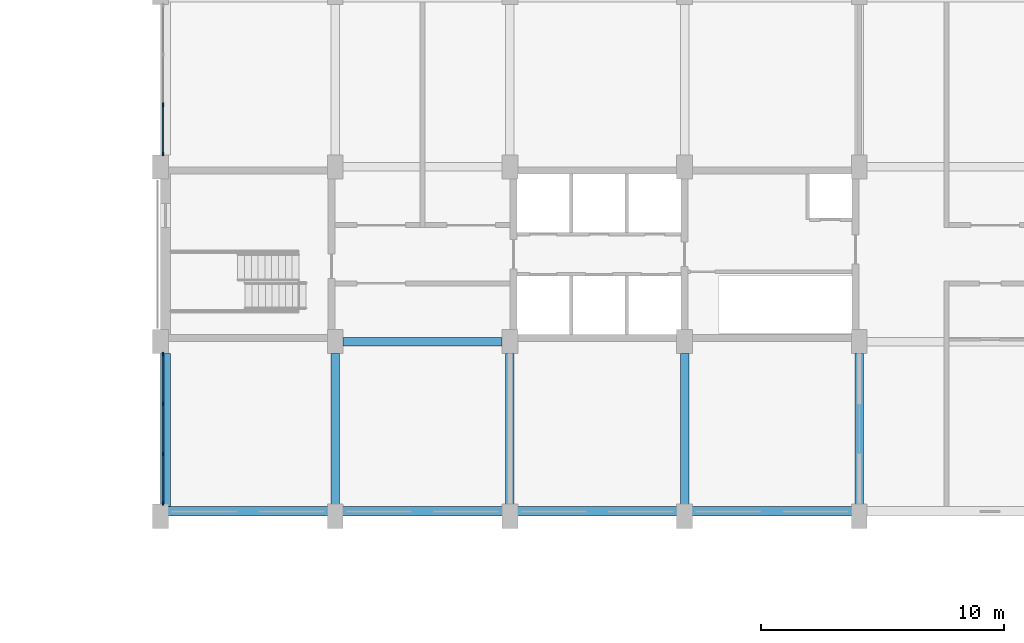
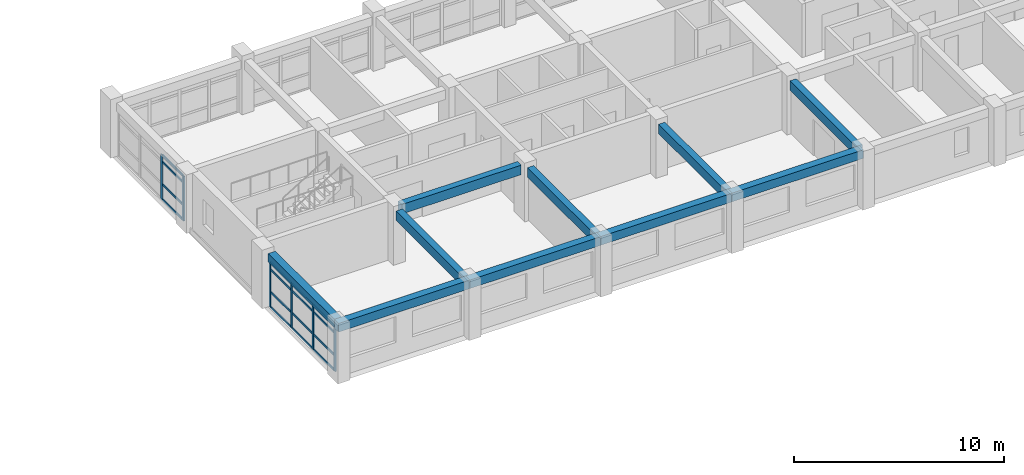
# One storey, part 5 of 19: 22 members, 10 beams, 2 elements without a shape of their own.
"""IFC4 building model written with IfcOpenShell, lengths in metres."""

from ifc_helpers import new_model, si_unit, direction, frame, origin, origin_2d, place, context, subcontext, project, spatial, rectangle, extrude, material, material_profile, profile_set, type_object, element, aggregate, save


model = new_model("IFC4")

# Units and contexts
model_context = context("Model", 3, precision=1e-05, world=origin(), true_north=direction((0.0, 1.0)))
body_context = subcontext(model_context, "Body", "Model", "MODEL_VIEW")
ifc_project = project(units=[si_unit("LENGTHUNIT", "METRE"), si_unit("AREAUNIT", "SQUARE_METRE"), si_unit("VOLUMEUNIT", "CUBIC_METRE"), si_unit("PLANEANGLEUNIT", "RADIAN"), si_unit("MASSUNIT", "GRAM", prefix="KILO")], contexts=[model_context])

# Site, building, storey
site_placement = place(None, origin())
site = spatial("IfcSite", under=ifc_project, at=site_placement, CompositionType="ELEMENT")
building_placement = place(site_placement, origin())
building = spatial("IfcBuilding", under=site, at=building_placement, Name="Vermilion Court Aquatics Centre", CompositionType="ELEMENT")
storey_placement = place(building_placement, frame((0.0, 0.0, 19.89990234375)))
storey = spatial("IfcBuildingStorey", under=building, at=storey_placement, Name="L04", CompositionType="ELEMENT", Elevation=19.89990234375)

# Curtain wall, members
ifc_material_1 = material(Name="Aluminium 6063-T5", Category="aluminium")
curtain_wall_type = type_object("IfcCurtainWallType", Name="North block glazed bay curtain wall 1800 module", PredefinedType="NOTDEFINED", material=ifc_material_1)
curtain_wall_1_placement = place(storey_placement, origin())
curtain_wall_1 = element("IfcCurtainWall", 1, at=curtain_wall_1_placement, inside=storey, type_object=curtain_wall_type, Name="West glazed bay 1 L04", PredefinedType="NOTDEFINED")
ifc_material_2 = material(Name="Aluminium 6063-T5", Category="aluminium")
ifc_material_profile_1 = material_profile(ifc_material_2, rectangle(XDim=0.06005859375, YDim=0.159912109375, at=origin_2d()), Name="AL 60x160")
ifc_profile_set_1 = profile_set([ifc_material_profile_1], Name="Aluminium 6063-T5")
member_type_1 = type_object("IfcMemberType", Name="North block curtain wall mullion 60x160", PredefinedType="MULLION", material=ifc_profile_set_1)
member_1_placement = place(storey_placement, frame((144.10009765625, 94.1298828125, 0.0), z_axis=(0.0, 0.0, 1.0), x_axis=(-1.0, 0.0, 0.0)))
member_1 = element("IfcMember", 2, at=member_1_placement, type_object=member_type_1, Name="UCW1 mullion 1", PredefinedType="MULLION", context=body_context, shape_type="SweptSolid", body=[
    extrude(rectangle(XDim=0.06005859375, YDim=0.159912109375, at=origin_2d()), origin(), (0.0, 0.0, 1.0), 2.60009765625),
])
member_2_placement = place(storey_placement, frame((144.10009765625, 96.166748046875, 0.0), z_axis=(0.0, 0.0, 1.0), x_axis=(-1.0, 0.0, 0.0)))
member_2 = element("IfcMember", 3, at=member_2_placement, type_object=member_type_1, Name="UCW1 mullion 2", PredefinedType="MULLION", context=body_context, shape_type="SweptSolid", body=[
    extrude(rectangle(XDim=0.06005859375, YDim=0.159912109375, at=origin_2d()), origin(), (0.0, 0.0, 1.0), 2.60009765625),
])
member_3_placement = place(storey_placement, frame((144.10009765625, 98.2333984375, 0.0), z_axis=(0.0, 0.0, 1.0), x_axis=(-1.0, 0.0, 0.0)))
member_3 = element("IfcMember", 4, at=member_3_placement, type_object=member_type_1, Name="UCW1 mullion 3", PredefinedType="MULLION", context=body_context, shape_type="SweptSolid", body=[
    extrude(rectangle(XDim=0.06005859375, YDim=0.159912109375, at=origin_2d()), origin(), (0.0, 0.0, 1.0), 2.60009765625),
])
member_4_placement = place(storey_placement, frame((144.10009765625, 100.27001953125, 0.0), z_axis=(0.0, 0.0, 1.0), x_axis=(-1.0, 0.0, 0.0)))
member_4 = element("IfcMember", 5, at=member_4_placement, type_object=member_type_1, Name="UCW1 mullion 4", PredefinedType="MULLION", context=body_context, shape_type="SweptSolid", body=[
    extrude(rectangle(XDim=0.06005859375, YDim=0.159912109375, at=origin_2d()), origin(), (0.0, 0.0, 1.0), 2.60009765625),
])

curtain_wall_2_placement = place(storey_placement, origin())
curtain_wall_2 = element("IfcCurtainWall", 6, at=curtain_wall_2_placement, inside=storey, type_object=curtain_wall_type, Name="West glazed bay 2 L04", PredefinedType="NOTDEFINED")
member_5_placement = place(storey_placement, frame((144.10009765625, 108.530029296875, 0.0), z_axis=(0.0, 0.0, 1.0), x_axis=(-1.0, 0.0, 0.0)))
member_5 = element("IfcMember", 7, at=member_5_placement, type_object=member_type_1, Name="UCW1 mullion 1", PredefinedType="MULLION", context=body_context, shape_type="SweptSolid", body=[
    extrude(rectangle(XDim=0.06005859375, YDim=0.159912109375, at=origin_2d()), origin(), (0.0, 0.0, 1.0), 2.60009765625),
])
member_6_placement = place(storey_placement, frame((144.10009765625, 110.566650390625, 0.0), z_axis=(0.0, 0.0, 1.0), x_axis=(-1.0, 0.0, 0.0)))
member_6 = element("IfcMember", 8, at=member_6_placement, type_object=member_type_1, Name="UCW1 mullion 2", PredefinedType="MULLION", context=body_context, shape_type="SweptSolid", body=[
    extrude(rectangle(XDim=0.06005859375, YDim=0.159912109375, at=origin_2d()), origin(), (0.0, 0.0, 1.0), 2.60009765625),
])

# Member
ifc_material_3 = material(Name="Aluminium 6063-T5", Category="aluminium")
ifc_material_profile_2 = material_profile(ifc_material_3, rectangle(XDim=0.06005859375, YDim=0.1201171875, at=origin_2d()), Name="AL 60x120")
ifc_profile_set_2 = profile_set([ifc_material_profile_2], Name="Aluminium 6063-T5")
member_type_2 = type_object("IfcMemberType", Name="North block curtain wall transom 60x120", PredefinedType="USERDEFINED", material=ifc_profile_set_2)
member_7_placement = place(storey_placement, frame((144.10009765625, 94.159912109375, 0.030029296875), z_axis=(0.0, 1.0, 0.0), x_axis=(-1.0, 0.0, 0.0)))
member_7 = element("IfcMember", 9, at=member_7_placement, type_object=member_type_2, Name="UCW1 transom 1.1", ObjectType="TRANSOM", PredefinedType="USERDEFINED", context=body_context, shape_type="SweptSolid", body=[
    extrude(rectangle(XDim=0.06005859375, YDim=0.1201171875, at=origin_2d()), origin(), (0.0, 0.0, 1.0), 1.976806640625),
])

member_8_placement = place(storey_placement, frame((144.10009765625, 94.159912109375, 0.900146484375), z_axis=(0.0, 1.0, 0.0), x_axis=(-1.0, 0.0, 0.0)))
member_8 = element("IfcMember", 10, at=member_8_placement, type_object=member_type_2, Name="UCW1 transom 1.2", ObjectType="TRANSOM", PredefinedType="USERDEFINED", context=body_context, shape_type="SweptSolid", body=[
    extrude(rectangle(XDim=0.06005859375, YDim=0.1201171875, at=origin_2d()), origin(), (0.0, 0.0, 1.0), 1.976806640625),
])

member_9_placement = place(storey_placement, frame((144.10009765625, 94.159912109375, 2.2001953125), z_axis=(0.0, 1.0, 0.0), x_axis=(-1.0, 0.0, 0.0)))
member_9 = element("IfcMember", 11, at=member_9_placement, type_object=member_type_2, Name="UCW1 transom 1.3", ObjectType="TRANSOM", PredefinedType="USERDEFINED", context=body_context, shape_type="SweptSolid", body=[
    extrude(rectangle(XDim=0.06005859375, YDim=0.1201171875, at=origin_2d()), origin(), (0.0, 0.0, 1.0), 1.976806640625),
])

member_10_placement = place(storey_placement, frame((144.10009765625, 94.159912109375, 2.570068359375), z_axis=(0.0, 1.0, 0.0), x_axis=(-1.0, 0.0, 0.0)))
member_10 = element("IfcMember", 12, at=member_10_placement, type_object=member_type_2, Name="UCW1 transom 1.4", ObjectType="TRANSOM", PredefinedType="USERDEFINED", context=body_context, shape_type="SweptSolid", body=[
    extrude(rectangle(XDim=0.06005859375, YDim=0.1201171875, at=origin_2d()), origin(), (0.0, 0.0, 1.0), 1.976806640625),
])

member_11_placement = place(storey_placement, frame((144.10009765625, 96.19677734375, 0.030029296875), z_axis=(0.0, 1.0, 0.0), x_axis=(-1.0, 0.0, 0.0)))
member_11 = element("IfcMember", 13, at=member_11_placement, type_object=member_type_2, Name="UCW1 transom 2.1", ObjectType="TRANSOM", PredefinedType="USERDEFINED", context=body_context, shape_type="SweptSolid", body=[
    extrude(rectangle(XDim=0.06005859375, YDim=0.1201171875, at=origin_2d()), origin(), (0.0, 0.0, 1.0), 2.006591796875),
])

member_12_placement = place(storey_placement, frame((144.10009765625, 96.19677734375, 0.900146484375), z_axis=(0.0, 1.0, 0.0), x_axis=(-1.0, 0.0, 0.0)))
member_12 = element("IfcMember", 14, at=member_12_placement, type_object=member_type_2, Name="UCW1 transom 2.2", ObjectType="TRANSOM", PredefinedType="USERDEFINED", context=body_context, shape_type="SweptSolid", body=[
    extrude(rectangle(XDim=0.06005859375, YDim=0.1201171875, at=origin_2d()), origin(), (0.0, 0.0, 1.0), 2.006591796875),
])

member_13_placement = place(storey_placement, frame((144.10009765625, 96.19677734375, 2.2001953125), z_axis=(0.0, 1.0, 0.0), x_axis=(-1.0, 0.0, 0.0)))
member_13 = element("IfcMember", 15, at=member_13_placement, type_object=member_type_2, Name="UCW1 transom 2.3", ObjectType="TRANSOM", PredefinedType="USERDEFINED", context=body_context, shape_type="SweptSolid", body=[
    extrude(rectangle(XDim=0.06005859375, YDim=0.1201171875, at=origin_2d()), origin(), (0.0, 0.0, 1.0), 2.006591796875),
])

member_14_placement = place(storey_placement, frame((144.10009765625, 96.19677734375, 2.570068359375), z_axis=(0.0, 1.0, 0.0), x_axis=(-1.0, 0.0, 0.0)))
member_14 = element("IfcMember", 16, at=member_14_placement, type_object=member_type_2, Name="UCW1 transom 2.4", ObjectType="TRANSOM", PredefinedType="USERDEFINED", context=body_context, shape_type="SweptSolid", body=[
    extrude(rectangle(XDim=0.06005859375, YDim=0.1201171875, at=origin_2d()), origin(), (0.0, 0.0, 1.0), 2.006591796875),
])

member_15_placement = place(storey_placement, frame((144.10009765625, 98.263427734375, 0.030029296875), z_axis=(0.0, 1.0, 0.0), x_axis=(-1.0, 0.0, 0.0)))
member_15 = element("IfcMember", 17, at=member_15_placement, type_object=member_type_2, Name="UCW1 transom 3.1", ObjectType="TRANSOM", PredefinedType="USERDEFINED", context=body_context, shape_type="SweptSolid", body=[
    extrude(rectangle(XDim=0.06005859375, YDim=0.1201171875, at=origin_2d()), origin(), (0.0, 0.0, 1.0), 1.9765625),
])

member_16_placement = place(storey_placement, frame((144.10009765625, 98.263427734375, 0.900146484375), z_axis=(0.0, 1.0, 0.0), x_axis=(-1.0, 0.0, 0.0)))
member_16 = element("IfcMember", 18, at=member_16_placement, type_object=member_type_2, Name="UCW1 transom 3.2", ObjectType="TRANSOM", PredefinedType="USERDEFINED", context=body_context, shape_type="SweptSolid", body=[
    extrude(rectangle(XDim=0.06005859375, YDim=0.1201171875, at=origin_2d()), origin(), (0.0, 0.0, 1.0), 1.9765625),
])

member_17_placement = place(storey_placement, frame((144.10009765625, 98.263427734375, 2.2001953125), z_axis=(0.0, 1.0, 0.0), x_axis=(-1.0, 0.0, 0.0)))
member_17 = element("IfcMember", 19, at=member_17_placement, type_object=member_type_2, Name="UCW1 transom 3.3", ObjectType="TRANSOM", PredefinedType="USERDEFINED", context=body_context, shape_type="SweptSolid", body=[
    extrude(rectangle(XDim=0.06005859375, YDim=0.1201171875, at=origin_2d()), origin(), (0.0, 0.0, 1.0), 1.9765625),
])

member_18_placement = place(storey_placement, frame((144.10009765625, 98.263427734375, 2.570068359375), z_axis=(0.0, 1.0, 0.0), x_axis=(-1.0, 0.0, 0.0)))
member_18 = element("IfcMember", 20, at=member_18_placement, type_object=member_type_2, Name="UCW1 transom 3.4", ObjectType="TRANSOM", PredefinedType="USERDEFINED", context=body_context, shape_type="SweptSolid", body=[
    extrude(rectangle(XDim=0.06005859375, YDim=0.1201171875, at=origin_2d()), origin(), (0.0, 0.0, 1.0), 1.9765625),
])

aggregate(curtain_wall_1, [member_1, member_2, member_3, member_4, member_7, member_8, member_9, member_10, member_11, member_12, member_13, member_14, member_15, member_16, member_17, member_18])

member_19_placement = place(storey_placement, frame((144.10009765625, 108.56005859375, 0.030029296875), z_axis=(0.0, 1.0, 0.0), x_axis=(-1.0, 0.0, 0.0)))
member_19 = element("IfcMember", 21, at=member_19_placement, type_object=member_type_2, Name="UCW1 transom 1.1", ObjectType="TRANSOM", PredefinedType="USERDEFINED", context=body_context, shape_type="SweptSolid", body=[
    extrude(rectangle(XDim=0.06005859375, YDim=0.1201171875, at=origin_2d()), origin(), (0.0, 0.0, 1.0), 1.9765625),
])

member_20_placement = place(storey_placement, frame((144.10009765625, 108.56005859375, 0.900146484375), z_axis=(0.0, 1.0, 0.0), x_axis=(-1.0, 0.0, 0.0)))
member_20 = element("IfcMember", 22, at=member_20_placement, type_object=member_type_2, Name="UCW1 transom 1.2", ObjectType="TRANSOM", PredefinedType="USERDEFINED", context=body_context, shape_type="SweptSolid", body=[
    extrude(rectangle(XDim=0.06005859375, YDim=0.1201171875, at=origin_2d()), origin(), (0.0, 0.0, 1.0), 1.9765625),
])

member_21_placement = place(storey_placement, frame((144.10009765625, 108.56005859375, 2.2001953125), z_axis=(0.0, 1.0, 0.0), x_axis=(-1.0, 0.0, 0.0)))
member_21 = element("IfcMember", 23, at=member_21_placement, type_object=member_type_2, Name="UCW1 transom 1.3", ObjectType="TRANSOM", PredefinedType="USERDEFINED", context=body_context, shape_type="SweptSolid", body=[
    extrude(rectangle(XDim=0.06005859375, YDim=0.1201171875, at=origin_2d()), origin(), (0.0, 0.0, 1.0), 1.9765625),
])

member_22_placement = place(storey_placement, frame((144.10009765625, 108.56005859375, 2.570068359375), z_axis=(0.0, 1.0, 0.0), x_axis=(-1.0, 0.0, 0.0)))
member_22 = element("IfcMember", 24, at=member_22_placement, type_object=member_type_2, Name="UCW1 transom 1.4", ObjectType="TRANSOM", PredefinedType="USERDEFINED", context=body_context, shape_type="SweptSolid", body=[
    extrude(rectangle(XDim=0.06005859375, YDim=0.1201171875, at=origin_2d()), origin(), (0.0, 0.0, 1.0), 1.9765625),
])

aggregate(curtain_wall_2, [member_5, member_6, member_19, member_20, member_21, member_22])

# Beams
ifc_material_4 = material(Name="Concrete 5000 psi", Category="concrete")
ifc_material_profile_3 = material_profile(ifc_material_4, rectangle(XDim=0.35009765625, YDim=0.550048828125, at=origin_2d()), Name="RC 350x550")
ifc_profile_set_3 = profile_set([ifc_material_profile_3], Name="Concrete 5000 psi")
beam_type_1 = type_object("IfcBeamType", Name="North block floor girder 350x550", PredefinedType="BEAM", material=ifc_profile_set_3)
beam_1_placement = place(storey_placement, frame((151.52490234375, 100.800048828125, 2.8251953125), z_axis=(1.0, 0.0, 0.0), x_axis=(0.0, 1.0, 0.0)))
element("IfcBeam", 25, at=beam_1_placement, inside=storey, type_object=beam_type_1, Name="Floor beam ROOF x100.8", PredefinedType="BEAM", context=body_context, shape_type="SweptSolid", body=[
    extrude(rectangle(XDim=0.35009765625, YDim=0.550048828125, at=origin_2d()), origin(), (0.0, 0.0, 1.0), 6.550048828125),
])
for number, where, z_axis, x_axis, name in (
    (26, (151.199951171875, 94.0, 2.8251953125), (0.0, 1.0, 0.0), (-1.0, 0.0, 0.0), "Floor beam ROOF y151.2"),
    (27, (158.39990234375, 94.0, 2.8251953125), (0.0, 1.0, 0.0), (-1.0, 0.0, 0.0), "Floor beam ROOF y158.4"),
    (28, (165.60009765625, 94.0, 2.8251953125), (0.0, 1.0, 0.0), (-1.0, 0.0, 0.0), "Floor beam ROOF y165.6"),
    (29, (172.800048828125, 94.0, 2.8251953125), (0.0, 1.0, 0.0), (-1.0, 0.0, 0.0), "Floor beam ROOF y172.8"),
):
    element("IfcBeam", number, at=place(storey_placement, frame(where, z_axis=z_axis, x_axis=x_axis)), inside=storey, type_object=beam_type_1, Name=name, PredefinedType="BEAM", context=body_context, shape_type="SweptSolid", body=[
        extrude(rectangle(XDim=0.35009765625, YDim=0.550048828125, at=origin_2d()), origin(), (0.0, 0.0, 1.0), 6.300048828125),
    ])
ifc_material_5 = material(Name="Concrete 6000 psi", Category="concrete")
ifc_material_profile_4 = material_profile(ifc_material_5, rectangle(XDim=0.39990234375, YDim=0.5, at=origin_2d()), Name="RC 400x500")
ifc_profile_set_4 = profile_set([ifc_material_profile_4], Name="Concrete 6000 psi")
beam_type_2 = type_object("IfcBeamType", Name="North block spandrel beam 400x500", PredefinedType="BEAM", material=ifc_profile_set_4)
for number, where, z_axis, x_axis, name in (
    (30, (144.0, 93.800048828125, 2.85009765625), (1.0, 0.0, 0.0), (0.0, 1.0, 0.0), "Spandrel beam ROOF x93.6"),
    (31, (151.199951171875, 93.800048828125, 2.85009765625), (1.0, 0.0, 0.0), (0.0, 1.0, 0.0), "Spandrel beam ROOF x93.6"),
):
    element("IfcBeam", number, at=place(storey_placement, frame(where, z_axis=z_axis, x_axis=x_axis)), inside=storey, type_object=beam_type_2, Name=name, PredefinedType="BEAM", context=body_context, shape_type="SweptSolid", body=[
        extrude(rectangle(XDim=0.39990234375, YDim=0.5, at=origin_2d()), origin(), (0.0, 0.0, 1.0), 7.199951171875),
    ])
beam_2_placement = place(storey_placement, frame((158.39990234375, 93.800048828125, 2.85009765625), z_axis=(1.0, 0.0, 0.0), x_axis=(0.0, 1.0, 0.0)))
element("IfcBeam", 32, at=beam_2_placement, inside=storey, type_object=beam_type_2, Name="Spandrel beam ROOF x93.6", PredefinedType="BEAM", context=body_context, shape_type="SweptSolid", body=[
    extrude(rectangle(XDim=0.39990234375, YDim=0.5, at=origin_2d()), origin(), (0.0, 0.0, 1.0), 7.2001953125),
])
beam_3_placement = place(storey_placement, frame((165.60009765625, 93.800048828125, 2.85009765625), z_axis=(1.0, 0.0, 0.0), x_axis=(0.0, 1.0, 0.0)))
element("IfcBeam", 33, at=beam_3_placement, inside=storey, type_object=beam_type_2, Name="Spandrel beam ROOF x93.6", PredefinedType="BEAM", context=body_context, shape_type="SweptSolid", body=[
    extrude(rectangle(XDim=0.39990234375, YDim=0.5, at=origin_2d()), origin(), (0.0, 0.0, 1.0), 7.199951171875),
])
beam_4_placement = place(storey_placement, frame((144.199951171875, 94.0, 2.85009765625), z_axis=(0.0, 1.0, 0.0), x_axis=(-1.0, 0.0, 0.0)))
element("IfcBeam", 34, at=beam_4_placement, inside=storey, type_object=beam_type_2, Name="Spandrel beam ROOF y144.2", PredefinedType="BEAM", context=body_context, shape_type="SweptSolid", body=[
    extrude(rectangle(XDim=0.39990234375, YDim=0.5, at=origin_2d()), origin(), (0.0, 0.0, 1.0), 6.300048828125),
])

save(model, "model.ifc")
